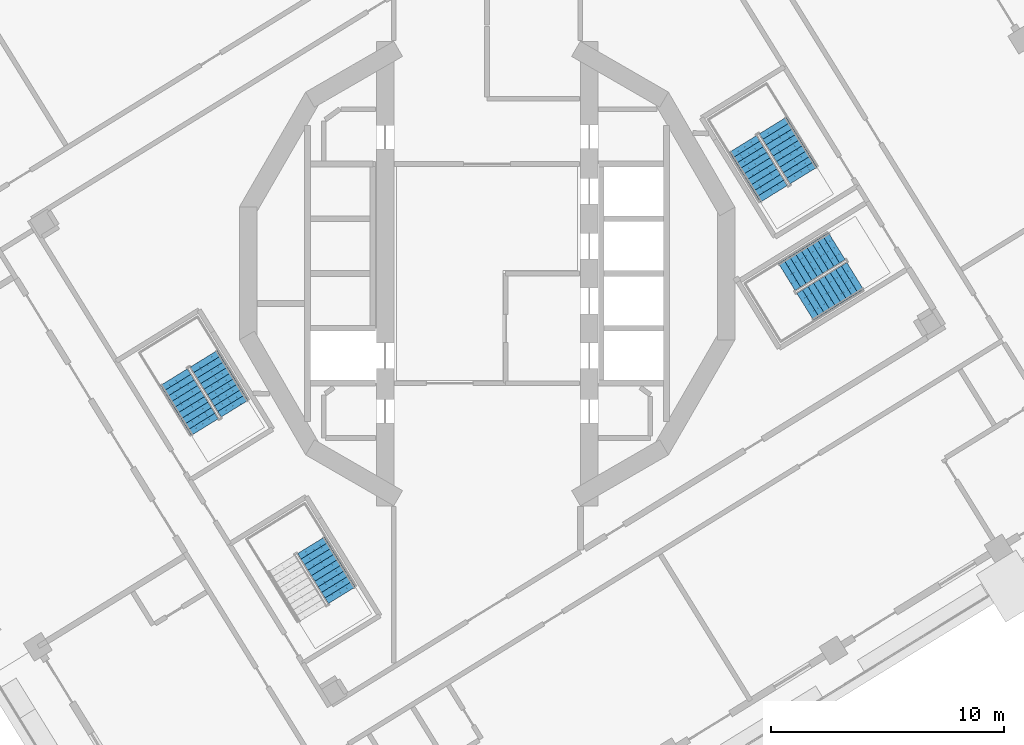
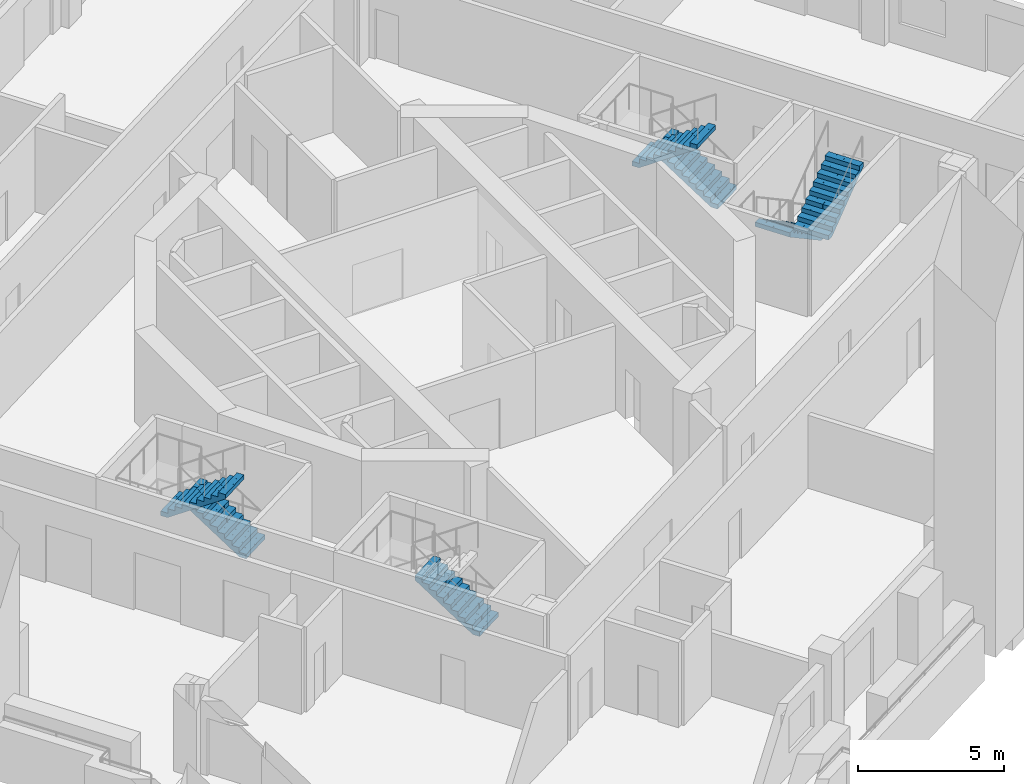
# One storey, part 9 of 19: 7 stair flights, 4 elements without a shape of their own.
"""IFC4 building model written with IfcOpenShell, lengths in metres."""

import ifcopenshell
import ifcopenshell.guid

model = None  # the IFC model being written
_history = None  # IfcOwnerHistory: only IFC2X3 demands one
_inside = {}  # id of a spatial element -> (the spatial element, [elements in it])
_under = {}  # id of a project, library or spatial element -> (it, [spatial elements below it])
_declared = {}  # id of a project -> (the project, [libraries it declares])
_typed = {}  # id of a type object -> (the type object, [elements of that type])
_made_of = {}  # id of a material, layer set ... -> (it, [elements and type objects made of it])


def new_model(schema):
    """Start an empty IFC model of exactly this schema.

    Asked for "IFC4X3", IfcOpenShell would pick the latest addendum, in which some entities
    have other attributes; the version numbers below select the first issue.
    IFC2X3 requires an IfcOwnerHistory on every rooted entity: one is made here for all.
    """
    global model, _history
    if schema == "IFC4X3":
        model = ifcopenshell.file(schema_version=(4, 3, 0, 0))
    else:
        model = ifcopenshell.file(schema=schema)
    _inside.clear()
    _under.clear()
    _declared.clear()
    _typed.clear()
    _made_of.clear()
    _history = None
    if model.schema == "IFC2X3":
        org = make("IfcOrganization", Name="unknown")
        user = make(
            "IfcPersonAndOrganization",
            ThePerson=make("IfcPerson", FamilyName="unknown"),
            TheOrganization=org,
        )
        app = make(
            "IfcApplication",
            ApplicationDeveloper=org,
            Version="unknown",
            ApplicationFullName="unknown",
            ApplicationIdentifier="unknown",
        )
        _history = make(
            "IfcOwnerHistory",
            OwningUser=user,
            OwningApplication=app,
            ChangeAction="ADDED",
            CreationDate=0,
        )
    return model


def make(cls, **values):
    """One entity of the class cls with the attributes given. An attribute that is None is left unset."""
    return model.create_entity(
        cls, **{name: value for name, value in values.items() if value is not None}
    )


def rooted(cls, **values):
    """An entity with a GlobalId (a new one), such as an element, a storey or a relation."""
    return make(cls, GlobalId=ifcopenshell.guid.new(), OwnerHistory=_history, **values)


def si_unit(unit_type, name, prefix=None):
    """IfcSIUnit, for example si_unit("LENGTHUNIT", "METRE", prefix="MILLI")."""
    return make("IfcSIUnit", UnitType=unit_type, Prefix=prefix, Name=name)


def assignment(units):
    """IfcUnitAssignment: the units of a project."""
    return None if units is None else make("IfcUnitAssignment", Units=units)


def point(xyz):
    """IfcCartesianPoint."""
    return None if xyz is None else make("IfcCartesianPoint", Coordinates=xyz)


def direction(xyz):
    """IfcDirection."""
    return None if xyz is None else make("IfcDirection", DirectionRatios=xyz)


def frame(location, z_axis=None, x_axis=None):
    """IfcAxis2Placement3D, a coordinate frame: its origin and axes. An axis left out is left unset."""
    return make(
        "IfcAxis2Placement3D",
        Location=point(location),
        Axis=direction(z_axis),
        RefDirection=direction(x_axis),
    )


def origin():
    """The frame at (0, 0, 0) with its axes left unset."""
    return frame((0.0, 0.0, 0.0))


def place(relative_to, where):
    """IfcLocalPlacement: puts the frame where relative to a parent placement (None: the world)."""
    return make(
        "IfcLocalPlacement", PlacementRelTo=relative_to, RelativePlacement=where
    )


def context(
    kind, dimensions, precision=None, world=None, true_north=None, identifier=None
):
    """IfcGeometricRepresentationContext, for example the 3D "Model" context."""
    return make(
        "IfcGeometricRepresentationContext",
        ContextIdentifier=identifier,
        ContextType=kind,
        CoordinateSpaceDimension=dimensions,
        Precision=precision,
        WorldCoordinateSystem=world,
        TrueNorth=true_north,
    )


def subcontext(parent, identifier, kind, view, scale=None):
    """IfcGeometricRepresentationSubContext, for example "Body" below "Model"."""
    return make(
        "IfcGeometricRepresentationSubContext",
        ContextIdentifier=identifier,
        ContextType=kind,
        ParentContext=parent,
        TargetScale=scale,
        TargetView=view,
    )


def project(units=None, contexts=None):
    """IfcProject with its units and contexts."""
    return rooted(
        "IfcProject",
        Name="project",
        RepresentationContexts=contexts,
        UnitsInContext=assignment(units),
    )


def spatial(cls, under=None, at=None, **own):
    """A site, building, storey or space (cls), placed at a placement, below another one or the project."""
    s = rooted(cls, ObjectPlacement=at, **own)
    if under is not None:
        _under.setdefault(under.id(), (under, []))[1].append(s)
    return s


def polyline(points):
    """IfcPolyline through the points."""
    return make("IfcPolyline", Points=[point(p) for p in points])


def outline(outer, holes=None, kind="AREA"):
    """IfcArbitraryClosedProfileDef: a profile drawn as a closed curve; with holes, ...WithVoids."""
    if holes is None:
        return make("IfcArbitraryClosedProfileDef", ProfileType=kind, OuterCurve=outer)
    return make(
        "IfcArbitraryProfileDefWithVoids",
        ProfileType=kind,
        OuterCurve=outer,
        InnerCurves=holes,
    )


def extrude(swept, where, along, depth):
    """IfcExtrudedAreaSolid: the profile swept, set in the frame where, extruded along a direction by depth."""
    return make(
        "IfcExtrudedAreaSolid",
        SweptArea=swept,
        Position=where,
        ExtrudedDirection=direction(along),
        Depth=depth,
    )


def shape(context_of_items, identifier, shape_type, items):
    """IfcShapeRepresentation: the items that make up one representation, for example the "Body"."""
    return make(
        "IfcShapeRepresentation",
        ContextOfItems=context_of_items,
        RepresentationIdentifier=identifier,
        RepresentationType=shape_type,
        Items=items,
    )


def material(Name=None, Category=None):
    """IfcMaterial."""
    return make("IfcMaterial", Name=Name, Category=Category)


def made_of(thing, what):
    """Note that an element or type object is made of a material, layer set ...; save() writes the relation."""
    if what is not None:
        _made_of.setdefault(what.id(), (what, []))[1].append(thing)
    return thing


def type_object(cls, material=None, **own):
    """A type object (cls), such as IfcWallType, which elements share."""
    return made_of(rooted(cls, **own), material)


def element(
    cls,
    number,
    at=None,
    inside=None,
    cuts=None,
    type_object=None,
    material=None,
    context=None,
    identifier="Body",
    shape_type=None,
    held_by="IfcProductDefinitionShape",
    body=None,
    shapes=None,
    **own,
):
    """One element of the class cls, such as IfcWall. Its Tag is "e" and its number.

    at: its placement. inside: the storey or other place that contains it. cuts: it is an
    opening in that element (IfcRelVoidsElement). A single representation is given by context,
    identifier, shape_type and body (its items); several are given by shapes. held_by: the class
    of the entity that holds the representations. save() writes the other relations.
    """
    e = rooted(cls, Tag="e%d" % number, ObjectPlacement=at, **own)
    if body is not None:
        shapes = [shape(context, identifier, shape_type, body)]
    if shapes is not None:
        e.Representation = make(held_by, Representations=shapes)
    if inside is not None:
        _inside.setdefault(inside.id(), (inside, []))[1].append(e)
    if cuts is not None:
        rooted(
            "IfcRelVoidsElement", RelatingBuildingElement=cuts, RelatedOpeningElement=e
        )
    if type_object is not None:
        _typed.setdefault(type_object.id(), (type_object, []))[1].append(e)
    return made_of(e, material)


def aggregate(whole, parts):
    """IfcRelAggregates: a whole, such as a stair, and the parts it consists of."""
    return rooted("IfcRelAggregates", RelatingObject=whole, RelatedObjects=parts)


def save(model, path):
    """Write the relations noted so far, then the file.

    IfcRelAggregates (storeys below a building ...), IfcRelContainedInSpatialStructure (elements
    in a storey), IfcRelDefinesByType, IfcRelAssociatesMaterial and IfcRelDeclares: one each for
    every whole, place, type object, material and project.
    """
    for whole, parts in _under.values():
        aggregate(whole, parts)
    for where, things in _inside.values():
        rooted(
            "IfcRelContainedInSpatialStructure",
            RelatedElements=things,
            RelatingStructure=where,
        )
    for kind, things in _typed.values():
        rooted("IfcRelDefinesByType", RelatedObjects=things, RelatingType=kind)
    for what, things in _made_of.values():
        rooted("IfcRelAssociatesMaterial", RelatedObjects=things, RelatingMaterial=what)
    for by, libraries in _declared.values():
        rooted("IfcRelDeclares", RelatingContext=by, RelatedDefinitions=libraries)
    model.write(path)


model = new_model("IFC4")

# Units and contexts
model_context = context("Model", 3, precision=1e-05, world=origin(), true_north=direction((0.0, 1.0)))
body_context = subcontext(model_context, "Body", "Model", "MODEL_VIEW")
ifc_project = project(units=[si_unit("LENGTHUNIT", "METRE"), si_unit("AREAUNIT", "SQUARE_METRE"), si_unit("VOLUMEUNIT", "CUBIC_METRE"), si_unit("PLANEANGLEUNIT", "RADIAN"), si_unit("MASSUNIT", "GRAM", prefix="KILO")], contexts=[model_context])

# Site, building, storey
site_placement = place(None, origin())
site = spatial("IfcSite", under=ifc_project, at=site_placement, CompositionType="ELEMENT")
building_placement = place(site_placement, origin())
building = spatial("IfcBuilding", under=site, at=building_placement, Name="Cantera Rosa Tower", CompositionType="ELEMENT")
storey_placement = place(building_placement, frame((0.0, 0.0, 147.60009765625)))
storey = spatial("IfcBuildingStorey", under=building, at=storey_placement, Name="L31", CompositionType="ELEMENT", Elevation=147.60009765625)

# Stair, stair flights
ifc_material_1 = material(Name="Concrete C35/45", Category="concrete")
stair_type = type_object("IfcStairType", Name="EXIT STAIR 1350 DOGLEG", PredefinedType="HALF_TURN_STAIR", material=ifc_material_1)
stair_1_placement = place(storey_placement, origin())
stair_1 = element("IfcStair", 1, at=stair_1_placement, inside=storey, type_object=stair_type, Name="L31 ST-31", PredefinedType="HALF_TURN_STAIR")
ifc_material_2 = material(Name="Concrete C35/45", Category="concrete")
stair_flight_type = type_object("IfcStairFlightType", Name="STAIR FLIGHT 1350 R20x190", PredefinedType="STRAIGHT", material=ifc_material_2)
stair_flight_1_placement = place(storey_placement, frame((13.5732421875, 4.2021484375, 0.0), z_axis=(0.0, 0.0, 1.0), x_axis=(-0.524976585286, 0.851116669383, 0.0)))
stair_flight_1 = element("IfcStairFlight", 2, at=stair_flight_1_placement, type_object=stair_flight_type, Name="ST-31 flight 1", NumberOfRisers=10, NumberOfTreads=9, PredefinedType="STRAIGHT", RiserHeight=0.19, TreadLength=0.28, context=body_context, shape_type="SweptSolid", body=[
    extrude(outline(polyline([(0.0, 0.0), (0.0, 0.18994140625), (0.280029296875, 0.18994140625), (0.280029296875, 0.3798828125), (0.56005859375, 0.3798828125), (0.56005859375, 0.570068359375), (0.840087890625, 0.570068359375), (0.840087890625, 0.760009765625), (1.1201171875, 0.760009765625), (1.1201171875, 0.949951171875), (1.39990234375, 0.949951171875), (1.39990234375, 1.139892578125), (1.679931640625, 1.139892578125), (1.679931640625, 1.330078125), (1.9599609375, 1.330078125), (1.9599609375, 1.52001953125), (2.239990234375, 1.52001953125), (2.239990234375, 1.7099609375), (2.52001953125, 1.7099609375), (2.52001953125, 1.89990234375), (2.52001953125, 1.52880859375), (0.266845703125, 0.0), (0.0, 0.0)])), frame((0.0, 0.675048828125, 0.0), z_axis=(0.0, -1.0, 0.0), x_axis=(1.0, 0.0, 0.0)), (0.0, 0.0, 1.0), 0.3359375),
    extrude(outline(polyline([(0.0, 0.0), (0.0, 0.18994140625), (0.280029296875, 0.18994140625), (0.280029296875, 0.3798828125), (0.56005859375, 0.3798828125), (0.56005859375, 0.570068359375), (0.840087890625, 0.570068359375), (0.840087890625, 0.760009765625), (1.1201171875, 0.760009765625), (1.1201171875, 0.949951171875), (1.39990234375, 0.949951171875), (1.39990234375, 1.139892578125), (1.679931640625, 1.139892578125), (1.679931640625, 1.330078125), (1.9599609375, 1.330078125), (1.9599609375, 1.52001953125), (2.239990234375, 1.52001953125), (2.239990234375, 1.7099609375), (2.52001953125, 1.7099609375), (2.52001953125, 1.89990234375), (2.52001953125, 1.52880859375), (0.266845703125, 0.0), (0.0, 0.0)])), frame((0.0, 0.337158203125, 0.0), z_axis=(0.0, -1.0, 0.0), x_axis=(1.0, 0.0, 0.0)), (0.0, 0.0, 1.0), 0.3359375),
    extrude(outline(polyline([(0.0, 0.0), (0.0, 0.18994140625), (0.280029296875, 0.18994140625), (0.280029296875, 0.3798828125), (0.56005859375, 0.3798828125), (0.56005859375, 0.570068359375), (0.840087890625, 0.570068359375), (0.840087890625, 0.760009765625), (1.1201171875, 0.760009765625), (1.1201171875, 0.949951171875), (1.39990234375, 0.949951171875), (1.39990234375, 1.139892578125), (1.679931640625, 1.139892578125), (1.679931640625, 1.330078125), (1.9599609375, 1.330078125), (1.9599609375, 1.52001953125), (2.239990234375, 1.52001953125), (2.239990234375, 1.7099609375), (2.52001953125, 1.7099609375), (2.52001953125, 1.89990234375), (2.52001953125, 1.52880859375), (0.266845703125, 0.0), (0.0, 0.0)])), frame((0.0, -0.000732421875, 0.0), z_axis=(0.0, -1.0, 0.0), x_axis=(1.0, 0.0, 0.0)), (0.0, 0.0, 1.0), 0.3359375),
    extrude(outline(polyline([(0.0, 0.0), (0.0, 0.18994140625), (0.280029296875, 0.18994140625), (0.280029296875, 0.3798828125), (0.56005859375, 0.3798828125), (0.56005859375, 0.570068359375), (0.840087890625, 0.570068359375), (0.840087890625, 0.760009765625), (1.1201171875, 0.760009765625), (1.1201171875, 0.949951171875), (1.39990234375, 0.949951171875), (1.39990234375, 1.139892578125), (1.679931640625, 1.139892578125), (1.679931640625, 1.330078125), (1.9599609375, 1.330078125), (1.9599609375, 1.52001953125), (2.239990234375, 1.52001953125), (2.239990234375, 1.7099609375), (2.52001953125, 1.7099609375), (2.52001953125, 1.89990234375), (2.52001953125, 1.52880859375), (0.266845703125, 0.0), (0.0, 0.0)])), frame((0.0, -0.338623046875, 0.0), z_axis=(0.0, -1.0, 0.0), x_axis=(1.0, 0.0, 0.0)), (0.0, 0.0, 1.0), 0.3359375),
])
stair_flight_2_placement = place(storey_placement, frame((10.9736328125, 5.5595703125, 1.89990234375), z_axis=(0.0, 0.0, 1.0), x_axis=(0.524976585286, -0.851116669383, 0.0)))
stair_flight_2 = element("IfcStairFlight", 3, at=stair_flight_2_placement, type_object=stair_flight_type, Name="ST-31 flight 2", NumberOfRisers=10, NumberOfTreads=9, PredefinedType="STRAIGHT", RiserHeight=0.19, TreadLength=0.28, context=body_context, shape_type="SweptSolid", body=[
    extrude(outline(polyline([(0.0, 0.0), (0.0, 0.18994140625), (0.280029296875, 0.18994140625), (0.280029296875, 0.3798828125), (0.56005859375, 0.3798828125), (0.56005859375, 0.570068359375), (0.840087890625, 0.570068359375), (0.840087890625, 0.760009765625), (1.1201171875, 0.760009765625), (1.1201171875, 0.949951171875), (1.39990234375, 0.949951171875), (1.39990234375, 1.139892578125), (1.679931640625, 1.139892578125), (1.679931640625, 1.330078125), (1.9599609375, 1.330078125), (1.9599609375, 1.52001953125), (2.239990234375, 1.52001953125), (2.239990234375, 1.7099609375), (2.52001953125, 1.7099609375), (2.52001953125, 1.89990234375), (2.52001953125, 1.52880859375), (0.266845703125, 0.0), (0.0, 0.0)])), frame((0.0, 0.675048828125, 0.0), z_axis=(0.0, -1.0, 0.0), x_axis=(1.0, 0.0, 0.0)), (0.0, 0.0, 1.0), 0.3359375),
    extrude(outline(polyline([(0.0, 0.0), (0.0, 0.18994140625), (0.280029296875, 0.18994140625), (0.280029296875, 0.3798828125), (0.56005859375, 0.3798828125), (0.56005859375, 0.570068359375), (0.840087890625, 0.570068359375), (0.840087890625, 0.760009765625), (1.1201171875, 0.760009765625), (1.1201171875, 0.949951171875), (1.39990234375, 0.949951171875), (1.39990234375, 1.139892578125), (1.679931640625, 1.139892578125), (1.679931640625, 1.330078125), (1.9599609375, 1.330078125), (1.9599609375, 1.52001953125), (2.239990234375, 1.52001953125), (2.239990234375, 1.7099609375), (2.52001953125, 1.7099609375), (2.52001953125, 1.89990234375), (2.52001953125, 1.52880859375), (0.266845703125, 0.0), (0.0, 0.0)])), frame((0.0, 0.337158203125, 0.0), z_axis=(0.0, -1.0, 0.0), x_axis=(1.0, 0.0, 0.0)), (0.0, 0.0, 1.0), 0.3359375),
    extrude(outline(polyline([(0.0, 0.0), (0.0, 0.18994140625), (0.280029296875, 0.18994140625), (0.280029296875, 0.3798828125), (0.56005859375, 0.3798828125), (0.56005859375, 0.570068359375), (0.840087890625, 0.570068359375), (0.840087890625, 0.760009765625), (1.1201171875, 0.760009765625), (1.1201171875, 0.949951171875), (1.39990234375, 0.949951171875), (1.39990234375, 1.139892578125), (1.679931640625, 1.139892578125), (1.679931640625, 1.330078125), (1.9599609375, 1.330078125), (1.9599609375, 1.52001953125), (2.239990234375, 1.52001953125), (2.239990234375, 1.7099609375), (2.52001953125, 1.7099609375), (2.52001953125, 1.89990234375), (2.52001953125, 1.52880859375), (0.266845703125, 0.0), (0.0, 0.0)])), frame((0.0, -0.000732421875, 0.0), z_axis=(0.0, -1.0, 0.0), x_axis=(1.0, 0.0, 0.0)), (0.0, 0.0, 1.0), 0.3359375),
    extrude(outline(polyline([(0.0, 0.0), (0.0, 0.18994140625), (0.280029296875, 0.18994140625), (0.280029296875, 0.3798828125), (0.56005859375, 0.3798828125), (0.56005859375, 0.570068359375), (0.840087890625, 0.570068359375), (0.840087890625, 0.760009765625), (1.1201171875, 0.760009765625), (1.1201171875, 0.949951171875), (1.39990234375, 0.949951171875), (1.39990234375, 1.139892578125), (1.679931640625, 1.139892578125), (1.679931640625, 1.330078125), (1.9599609375, 1.330078125), (1.9599609375, 1.52001953125), (2.239990234375, 1.52001953125), (2.239990234375, 1.7099609375), (2.52001953125, 1.7099609375), (2.52001953125, 1.89990234375), (2.52001953125, 1.52880859375), (0.266845703125, 0.0), (0.0, 0.0)])), frame((0.0, -0.338623046875, 0.0), z_axis=(0.0, -1.0, 0.0), x_axis=(1.0, 0.0, 0.0)), (0.0, 0.0, 1.0), 0.3359375),
])
aggregate(stair_1, [stair_flight_1, stair_flight_2])

stair_2_placement = place(storey_placement, origin())
stair_2 = element("IfcStair", 4, at=stair_2_placement, inside=storey, type_object=stair_type, Name="L31 ST-32", PredefinedType="HALF_TURN_STAIR")
stair_flight_3_placement = place(storey_placement, frame((-10.82666015625, -5.7978515625, 0.0), z_axis=(0.0, 0.0, 1.0), x_axis=(-0.524976585286, 0.851116669383, 0.0)))
stair_flight_3 = element("IfcStairFlight", 5, at=stair_flight_3_placement, type_object=stair_flight_type, Name="ST-32 flight 1", NumberOfRisers=10, NumberOfTreads=9, PredefinedType="STRAIGHT", RiserHeight=0.19, TreadLength=0.28, context=body_context, shape_type="SweptSolid", body=[
    extrude(outline(polyline([(0.0, 0.0), (0.0, 0.18994140625), (0.280029296875, 0.18994140625), (0.280029296875, 0.3798828125), (0.56005859375, 0.3798828125), (0.56005859375, 0.570068359375), (0.840087890625, 0.570068359375), (0.840087890625, 0.760009765625), (1.1201171875, 0.760009765625), (1.1201171875, 0.949951171875), (1.39990234375, 0.949951171875), (1.39990234375, 1.139892578125), (1.679931640625, 1.139892578125), (1.679931640625, 1.330078125), (1.9599609375, 1.330078125), (1.9599609375, 1.52001953125), (2.239990234375, 1.52001953125), (2.239990234375, 1.7099609375), (2.52001953125, 1.7099609375), (2.52001953125, 1.89990234375), (2.52001953125, 1.52880859375), (0.266845703125, 0.0), (0.0, 0.0)])), frame((0.0, 0.675048828125, 0.0), z_axis=(0.0, -1.0, 0.0), x_axis=(1.0, 0.0, 0.0)), (0.0, 0.0, 1.0), 0.3359375),
    extrude(outline(polyline([(0.0, 0.0), (0.0, 0.18994140625), (0.280029296875, 0.18994140625), (0.280029296875, 0.3798828125), (0.56005859375, 0.3798828125), (0.56005859375, 0.570068359375), (0.840087890625, 0.570068359375), (0.840087890625, 0.760009765625), (1.1201171875, 0.760009765625), (1.1201171875, 0.949951171875), (1.39990234375, 0.949951171875), (1.39990234375, 1.139892578125), (1.679931640625, 1.139892578125), (1.679931640625, 1.330078125), (1.9599609375, 1.330078125), (1.9599609375, 1.52001953125), (2.239990234375, 1.52001953125), (2.239990234375, 1.7099609375), (2.52001953125, 1.7099609375), (2.52001953125, 1.89990234375), (2.52001953125, 1.52880859375), (0.266845703125, 0.0), (0.0, 0.0)])), frame((0.0, 0.337158203125, 0.0), z_axis=(0.0, -1.0, 0.0), x_axis=(1.0, 0.0, 0.0)), (0.0, 0.0, 1.0), 0.3359375),
    extrude(outline(polyline([(0.0, 0.0), (0.0, 0.18994140625), (0.280029296875, 0.18994140625), (0.280029296875, 0.3798828125), (0.56005859375, 0.3798828125), (0.56005859375, 0.570068359375), (0.840087890625, 0.570068359375), (0.840087890625, 0.760009765625), (1.1201171875, 0.760009765625), (1.1201171875, 0.949951171875), (1.39990234375, 0.949951171875), (1.39990234375, 1.139892578125), (1.679931640625, 1.139892578125), (1.679931640625, 1.330078125), (1.9599609375, 1.330078125), (1.9599609375, 1.52001953125), (2.239990234375, 1.52001953125), (2.239990234375, 1.7099609375), (2.52001953125, 1.7099609375), (2.52001953125, 1.89990234375), (2.52001953125, 1.52880859375), (0.266845703125, 0.0), (0.0, 0.0)])), frame((0.0, -0.000732421875, 0.0), z_axis=(0.0, -1.0, 0.0), x_axis=(1.0, 0.0, 0.0)), (0.0, 0.0, 1.0), 0.3359375),
    extrude(outline(polyline([(0.0, 0.0), (0.0, 0.18994140625), (0.280029296875, 0.18994140625), (0.280029296875, 0.3798828125), (0.56005859375, 0.3798828125), (0.56005859375, 0.570068359375), (0.840087890625, 0.570068359375), (0.840087890625, 0.760009765625), (1.1201171875, 0.760009765625), (1.1201171875, 0.949951171875), (1.39990234375, 0.949951171875), (1.39990234375, 1.139892578125), (1.679931640625, 1.139892578125), (1.679931640625, 1.330078125), (1.9599609375, 1.330078125), (1.9599609375, 1.52001953125), (2.239990234375, 1.52001953125), (2.239990234375, 1.7099609375), (2.52001953125, 1.7099609375), (2.52001953125, 1.89990234375), (2.52001953125, 1.52880859375), (0.266845703125, 0.0), (0.0, 0.0)])), frame((0.0, -0.338623046875, 0.0), z_axis=(0.0, -1.0, 0.0), x_axis=(1.0, 0.0, 0.0)), (0.0, 0.0, 1.0), 0.3359375),
])
stair_flight_4_placement = place(storey_placement, frame((-13.42626953125, -4.4404296875, 1.89990234375), z_axis=(0.0, 0.0, 1.0), x_axis=(0.524976585286, -0.851116669383, 0.0)))
stair_flight_4 = element("IfcStairFlight", 6, at=stair_flight_4_placement, type_object=stair_flight_type, Name="ST-32 flight 2", NumberOfRisers=10, NumberOfTreads=9, PredefinedType="STRAIGHT", RiserHeight=0.19, TreadLength=0.28, context=body_context, shape_type="SweptSolid", body=[
    extrude(outline(polyline([(0.0, 0.0), (0.0, 0.18994140625), (0.280029296875, 0.18994140625), (0.280029296875, 0.3798828125), (0.56005859375, 0.3798828125), (0.56005859375, 0.570068359375), (0.840087890625, 0.570068359375), (0.840087890625, 0.760009765625), (1.1201171875, 0.760009765625), (1.1201171875, 0.949951171875), (1.39990234375, 0.949951171875), (1.39990234375, 1.139892578125), (1.679931640625, 1.139892578125), (1.679931640625, 1.330078125), (1.9599609375, 1.330078125), (1.9599609375, 1.52001953125), (2.239990234375, 1.52001953125), (2.239990234375, 1.7099609375), (2.52001953125, 1.7099609375), (2.52001953125, 1.89990234375), (2.52001953125, 1.52880859375), (0.266845703125, 0.0), (0.0, 0.0)])), frame((0.0, 0.675048828125, 0.0), z_axis=(0.0, -1.0, 0.0), x_axis=(1.0, 0.0, 0.0)), (0.0, 0.0, 1.0), 0.3359375),
    extrude(outline(polyline([(0.0, 0.0), (0.0, 0.18994140625), (0.280029296875, 0.18994140625), (0.280029296875, 0.3798828125), (0.56005859375, 0.3798828125), (0.56005859375, 0.570068359375), (0.840087890625, 0.570068359375), (0.840087890625, 0.760009765625), (1.1201171875, 0.760009765625), (1.1201171875, 0.949951171875), (1.39990234375, 0.949951171875), (1.39990234375, 1.139892578125), (1.679931640625, 1.139892578125), (1.679931640625, 1.330078125), (1.9599609375, 1.330078125), (1.9599609375, 1.52001953125), (2.239990234375, 1.52001953125), (2.239990234375, 1.7099609375), (2.52001953125, 1.7099609375), (2.52001953125, 1.89990234375), (2.52001953125, 1.52880859375), (0.266845703125, 0.0), (0.0, 0.0)])), frame((0.0, 0.337158203125, 0.0), z_axis=(0.0, -1.0, 0.0), x_axis=(1.0, 0.0, 0.0)), (0.0, 0.0, 1.0), 0.3359375),
    extrude(outline(polyline([(0.0, 0.0), (0.0, 0.18994140625), (0.280029296875, 0.18994140625), (0.280029296875, 0.3798828125), (0.56005859375, 0.3798828125), (0.56005859375, 0.570068359375), (0.840087890625, 0.570068359375), (0.840087890625, 0.760009765625), (1.1201171875, 0.760009765625), (1.1201171875, 0.949951171875), (1.39990234375, 0.949951171875), (1.39990234375, 1.139892578125), (1.679931640625, 1.139892578125), (1.679931640625, 1.330078125), (1.9599609375, 1.330078125), (1.9599609375, 1.52001953125), (2.239990234375, 1.52001953125), (2.239990234375, 1.7099609375), (2.52001953125, 1.7099609375), (2.52001953125, 1.89990234375), (2.52001953125, 1.52880859375), (0.266845703125, 0.0), (0.0, 0.0)])), frame((0.0, -0.000732421875, 0.0), z_axis=(0.0, -1.0, 0.0), x_axis=(1.0, 0.0, 0.0)), (0.0, 0.0, 1.0), 0.3359375),
    extrude(outline(polyline([(0.0, 0.0), (0.0, 0.18994140625), (0.280029296875, 0.18994140625), (0.280029296875, 0.3798828125), (0.56005859375, 0.3798828125), (0.56005859375, 0.570068359375), (0.840087890625, 0.570068359375), (0.840087890625, 0.760009765625), (1.1201171875, 0.760009765625), (1.1201171875, 0.949951171875), (1.39990234375, 0.949951171875), (1.39990234375, 1.139892578125), (1.679931640625, 1.139892578125), (1.679931640625, 1.330078125), (1.9599609375, 1.330078125), (1.9599609375, 1.52001953125), (2.239990234375, 1.52001953125), (2.239990234375, 1.7099609375), (2.52001953125, 1.7099609375), (2.52001953125, 1.89990234375), (2.52001953125, 1.52880859375), (0.266845703125, 0.0), (0.0, 0.0)])), frame((0.0, -0.338623046875, 0.0), z_axis=(0.0, -1.0, 0.0), x_axis=(1.0, 0.0, 0.0)), (0.0, 0.0, 1.0), 0.3359375),
])
aggregate(stair_2, [stair_flight_3, stair_flight_4])

# Stair, stair flight
stair_3_placement = place(storey_placement, origin())
stair_3 = element("IfcStair", 7, at=stair_3_placement, inside=storey, type_object=stair_type, Name="L31 ST-33", PredefinedType="HALF_TURN_STAIR")
stair_flight_5_placement = place(storey_placement, frame((-6.226806640625, -13.7978515625, 0.0), z_axis=(0.0, 0.0, 1.0), x_axis=(-0.524976585286, 0.851116669383, 0.0)))
stair_flight_5 = element("IfcStairFlight", 8, at=stair_flight_5_placement, type_object=stair_flight_type, Name="ST-33 flight 1", NumberOfRisers=10, NumberOfTreads=9, PredefinedType="STRAIGHT", RiserHeight=0.19, TreadLength=0.28, context=body_context, shape_type="SweptSolid", body=[
    extrude(outline(polyline([(0.0, 0.0), (0.0, 0.18994140625), (0.280029296875, 0.18994140625), (0.280029296875, 0.3798828125), (0.56005859375, 0.3798828125), (0.56005859375, 0.570068359375), (0.840087890625, 0.570068359375), (0.840087890625, 0.760009765625), (1.1201171875, 0.760009765625), (1.1201171875, 0.949951171875), (1.39990234375, 0.949951171875), (1.39990234375, 1.139892578125), (1.679931640625, 1.139892578125), (1.679931640625, 1.330078125), (1.9599609375, 1.330078125), (1.9599609375, 1.52001953125), (2.239990234375, 1.52001953125), (2.239990234375, 1.7099609375), (2.52001953125, 1.7099609375), (2.52001953125, 1.89990234375), (2.52001953125, 1.52880859375), (0.266845703125, 0.0), (0.0, 0.0)])), frame((0.0, 0.675048828125, 0.0), z_axis=(0.0, -1.0, 0.0), x_axis=(1.0, 0.0, 0.0)), (0.0, 0.0, 1.0), 0.3359375),
    extrude(outline(polyline([(0.0, 0.0), (0.0, 0.18994140625), (0.280029296875, 0.18994140625), (0.280029296875, 0.3798828125), (0.56005859375, 0.3798828125), (0.56005859375, 0.570068359375), (0.840087890625, 0.570068359375), (0.840087890625, 0.760009765625), (1.1201171875, 0.760009765625), (1.1201171875, 0.949951171875), (1.39990234375, 0.949951171875), (1.39990234375, 1.139892578125), (1.679931640625, 1.139892578125), (1.679931640625, 1.330078125), (1.9599609375, 1.330078125), (1.9599609375, 1.52001953125), (2.239990234375, 1.52001953125), (2.239990234375, 1.7099609375), (2.52001953125, 1.7099609375), (2.52001953125, 1.89990234375), (2.52001953125, 1.52880859375), (0.266845703125, 0.0), (0.0, 0.0)])), frame((0.0, 0.337158203125, 0.0), z_axis=(0.0, -1.0, 0.0), x_axis=(1.0, 0.0, 0.0)), (0.0, 0.0, 1.0), 0.3359375),
    extrude(outline(polyline([(0.0, 0.0), (0.0, 0.18994140625), (0.280029296875, 0.18994140625), (0.280029296875, 0.3798828125), (0.56005859375, 0.3798828125), (0.56005859375, 0.570068359375), (0.840087890625, 0.570068359375), (0.840087890625, 0.760009765625), (1.1201171875, 0.760009765625), (1.1201171875, 0.949951171875), (1.39990234375, 0.949951171875), (1.39990234375, 1.139892578125), (1.679931640625, 1.139892578125), (1.679931640625, 1.330078125), (1.9599609375, 1.330078125), (1.9599609375, 1.52001953125), (2.239990234375, 1.52001953125), (2.239990234375, 1.7099609375), (2.52001953125, 1.7099609375), (2.52001953125, 1.89990234375), (2.52001953125, 1.52880859375), (0.266845703125, 0.0), (0.0, 0.0)])), frame((0.0, -0.000732421875, 0.0), z_axis=(0.0, -1.0, 0.0), x_axis=(1.0, 0.0, 0.0)), (0.0, 0.0, 1.0), 0.3359375),
    extrude(outline(polyline([(0.0, 0.0), (0.0, 0.18994140625), (0.280029296875, 0.18994140625), (0.280029296875, 0.3798828125), (0.56005859375, 0.3798828125), (0.56005859375, 0.570068359375), (0.840087890625, 0.570068359375), (0.840087890625, 0.760009765625), (1.1201171875, 0.760009765625), (1.1201171875, 0.949951171875), (1.39990234375, 0.949951171875), (1.39990234375, 1.139892578125), (1.679931640625, 1.139892578125), (1.679931640625, 1.330078125), (1.9599609375, 1.330078125), (1.9599609375, 1.52001953125), (2.239990234375, 1.52001953125), (2.239990234375, 1.7099609375), (2.52001953125, 1.7099609375), (2.52001953125, 1.89990234375), (2.52001953125, 1.52880859375), (0.266845703125, 0.0), (0.0, 0.0)])), frame((0.0, -0.338623046875, 0.0), z_axis=(0.0, -1.0, 0.0), x_axis=(1.0, 0.0, 0.0)), (0.0, 0.0, 1.0), 0.3359375),
])
aggregate(stair_3, [stair_flight_5])

# Stair, stair flights
stair_4_placement = place(storey_placement, origin())
stair_4 = element("IfcStair", 9, at=stair_4_placement, inside=storey, type_object=stair_type, Name="L31 ST-34", PredefinedType="HALF_TURN_STAIR")
stair_flight_6_placement = place(storey_placement, frame((14.997802734375, 1.17333984375, 0.0), z_axis=(0.0, 0.0, 1.0), x_axis=(-0.851116669383, -0.524976585286, 0.0)))
stair_flight_6 = element("IfcStairFlight", 10, at=stair_flight_6_placement, type_object=stair_flight_type, Name="ST-34 flight 1", NumberOfRisers=10, NumberOfTreads=9, PredefinedType="STRAIGHT", RiserHeight=0.19, TreadLength=0.28, context=body_context, shape_type="SweptSolid", body=[
    extrude(outline(polyline([(0.0, 0.0), (0.0, 0.18994140625), (0.280029296875, 0.18994140625), (0.280029296875, 0.3798828125), (0.56005859375, 0.3798828125), (0.56005859375, 0.570068359375), (0.840087890625, 0.570068359375), (0.840087890625, 0.760009765625), (1.1201171875, 0.760009765625), (1.1201171875, 0.949951171875), (1.39990234375, 0.949951171875), (1.39990234375, 1.139892578125), (1.679931640625, 1.139892578125), (1.679931640625, 1.330078125), (1.9599609375, 1.330078125), (1.9599609375, 1.52001953125), (2.239990234375, 1.52001953125), (2.239990234375, 1.7099609375), (2.52001953125, 1.7099609375), (2.52001953125, 1.89990234375), (2.52001953125, 1.52880859375), (0.266845703125, 0.0), (0.0, 0.0)])), frame((0.0, 0.675048828125, 0.0), z_axis=(0.0, -1.0, 0.0), x_axis=(1.0, 0.0, 0.0)), (0.0, 0.0, 1.0), 0.3359375),
    extrude(outline(polyline([(0.0, 0.0), (0.0, 0.18994140625), (0.280029296875, 0.18994140625), (0.280029296875, 0.3798828125), (0.56005859375, 0.3798828125), (0.56005859375, 0.570068359375), (0.840087890625, 0.570068359375), (0.840087890625, 0.760009765625), (1.1201171875, 0.760009765625), (1.1201171875, 0.949951171875), (1.39990234375, 0.949951171875), (1.39990234375, 1.139892578125), (1.679931640625, 1.139892578125), (1.679931640625, 1.330078125), (1.9599609375, 1.330078125), (1.9599609375, 1.52001953125), (2.239990234375, 1.52001953125), (2.239990234375, 1.7099609375), (2.52001953125, 1.7099609375), (2.52001953125, 1.89990234375), (2.52001953125, 1.52880859375), (0.266845703125, 0.0), (0.0, 0.0)])), frame((0.0, 0.337158203125, 0.0), z_axis=(0.0, -1.0, 0.0), x_axis=(1.0, 0.0, 0.0)), (0.0, 0.0, 1.0), 0.3359375),
    extrude(outline(polyline([(0.0, 0.0), (0.0, 0.18994140625), (0.280029296875, 0.18994140625), (0.280029296875, 0.3798828125), (0.56005859375, 0.3798828125), (0.56005859375, 0.570068359375), (0.840087890625, 0.570068359375), (0.840087890625, 0.760009765625), (1.1201171875, 0.760009765625), (1.1201171875, 0.949951171875), (1.39990234375, 0.949951171875), (1.39990234375, 1.139892578125), (1.679931640625, 1.139892578125), (1.679931640625, 1.330078125), (1.9599609375, 1.330078125), (1.9599609375, 1.52001953125), (2.239990234375, 1.52001953125), (2.239990234375, 1.7099609375), (2.52001953125, 1.7099609375), (2.52001953125, 1.89990234375), (2.52001953125, 1.52880859375), (0.266845703125, 0.0), (0.0, 0.0)])), frame((0.0, -0.000732421875, 0.0), z_axis=(0.0, -1.0, 0.0), x_axis=(1.0, 0.0, 0.0)), (0.0, 0.0, 1.0), 0.3359375),
    extrude(outline(polyline([(0.0, 0.0), (0.0, 0.18994140625), (0.280029296875, 0.18994140625), (0.280029296875, 0.3798828125), (0.56005859375, 0.3798828125), (0.56005859375, 0.570068359375), (0.840087890625, 0.570068359375), (0.840087890625, 0.760009765625), (1.1201171875, 0.760009765625), (1.1201171875, 0.949951171875), (1.39990234375, 0.949951171875), (1.39990234375, 1.139892578125), (1.679931640625, 1.139892578125), (1.679931640625, 1.330078125), (1.9599609375, 1.330078125), (1.9599609375, 1.52001953125), (2.239990234375, 1.52001953125), (2.239990234375, 1.7099609375), (2.52001953125, 1.7099609375), (2.52001953125, 1.89990234375), (2.52001953125, 1.52880859375), (0.266845703125, 0.0), (0.0, 0.0)])), frame((0.0, -0.338623046875, 0.0), z_axis=(0.0, -1.0, 0.0), x_axis=(1.0, 0.0, 0.0)), (0.0, 0.0, 1.0), 0.3359375),
])
stair_flight_7_placement = place(storey_placement, frame((13.640380859375, -1.42626953125, 1.89990234375), z_axis=(0.0, 0.0, 1.0), x_axis=(0.851116669383, 0.524976585286, 0.0)))
stair_flight_7 = element("IfcStairFlight", 11, at=stair_flight_7_placement, type_object=stair_flight_type, Name="ST-34 flight 2", NumberOfRisers=10, NumberOfTreads=9, PredefinedType="STRAIGHT", RiserHeight=0.19, TreadLength=0.28, context=body_context, shape_type="SweptSolid", body=[
    extrude(outline(polyline([(0.0, 0.0), (0.0, 0.18994140625), (0.280029296875, 0.18994140625), (0.280029296875, 0.3798828125), (0.56005859375, 0.3798828125), (0.56005859375, 0.570068359375), (0.840087890625, 0.570068359375), (0.840087890625, 0.760009765625), (1.1201171875, 0.760009765625), (1.1201171875, 0.949951171875), (1.39990234375, 0.949951171875), (1.39990234375, 1.139892578125), (1.679931640625, 1.139892578125), (1.679931640625, 1.330078125), (1.9599609375, 1.330078125), (1.9599609375, 1.52001953125), (2.239990234375, 1.52001953125), (2.239990234375, 1.7099609375), (2.52001953125, 1.7099609375), (2.52001953125, 1.89990234375), (2.52001953125, 1.52880859375), (0.266845703125, 0.0), (0.0, 0.0)])), frame((0.0, 0.675048828125, 0.0), z_axis=(0.0, -1.0, 0.0), x_axis=(1.0, 0.0, 0.0)), (0.0, 0.0, 1.0), 0.3359375),
    extrude(outline(polyline([(0.0, 0.0), (0.0, 0.18994140625), (0.280029296875, 0.18994140625), (0.280029296875, 0.3798828125), (0.56005859375, 0.3798828125), (0.56005859375, 0.570068359375), (0.840087890625, 0.570068359375), (0.840087890625, 0.760009765625), (1.1201171875, 0.760009765625), (1.1201171875, 0.949951171875), (1.39990234375, 0.949951171875), (1.39990234375, 1.139892578125), (1.679931640625, 1.139892578125), (1.679931640625, 1.330078125), (1.9599609375, 1.330078125), (1.9599609375, 1.52001953125), (2.239990234375, 1.52001953125), (2.239990234375, 1.7099609375), (2.52001953125, 1.7099609375), (2.52001953125, 1.89990234375), (2.52001953125, 1.52880859375), (0.266845703125, 0.0), (0.0, 0.0)])), frame((0.0, 0.337158203125, 0.0), z_axis=(0.0, -1.0, 0.0), x_axis=(1.0, 0.0, 0.0)), (0.0, 0.0, 1.0), 0.3359375),
    extrude(outline(polyline([(0.0, 0.0), (0.0, 0.18994140625), (0.280029296875, 0.18994140625), (0.280029296875, 0.3798828125), (0.56005859375, 0.3798828125), (0.56005859375, 0.570068359375), (0.840087890625, 0.570068359375), (0.840087890625, 0.760009765625), (1.1201171875, 0.760009765625), (1.1201171875, 0.949951171875), (1.39990234375, 0.949951171875), (1.39990234375, 1.139892578125), (1.679931640625, 1.139892578125), (1.679931640625, 1.330078125), (1.9599609375, 1.330078125), (1.9599609375, 1.52001953125), (2.239990234375, 1.52001953125), (2.239990234375, 1.7099609375), (2.52001953125, 1.7099609375), (2.52001953125, 1.89990234375), (2.52001953125, 1.52880859375), (0.266845703125, 0.0), (0.0, 0.0)])), frame((0.0, -0.000732421875, 0.0), z_axis=(0.0, -1.0, 0.0), x_axis=(1.0, 0.0, 0.0)), (0.0, 0.0, 1.0), 0.3359375),
    extrude(outline(polyline([(0.0, 0.0), (0.0, 0.18994140625), (0.280029296875, 0.18994140625), (0.280029296875, 0.3798828125), (0.56005859375, 0.3798828125), (0.56005859375, 0.570068359375), (0.840087890625, 0.570068359375), (0.840087890625, 0.760009765625), (1.1201171875, 0.760009765625), (1.1201171875, 0.949951171875), (1.39990234375, 0.949951171875), (1.39990234375, 1.139892578125), (1.679931640625, 1.139892578125), (1.679931640625, 1.330078125), (1.9599609375, 1.330078125), (1.9599609375, 1.52001953125), (2.239990234375, 1.52001953125), (2.239990234375, 1.7099609375), (2.52001953125, 1.7099609375), (2.52001953125, 1.89990234375), (2.52001953125, 1.52880859375), (0.266845703125, 0.0), (0.0, 0.0)])), frame((0.0, -0.338623046875, 0.0), z_axis=(0.0, -1.0, 0.0), x_axis=(1.0, 0.0, 0.0)), (0.0, 0.0, 1.0), 0.3359375),
])
aggregate(stair_4, [stair_flight_6, stair_flight_7])

save(model, "model.ifc")
